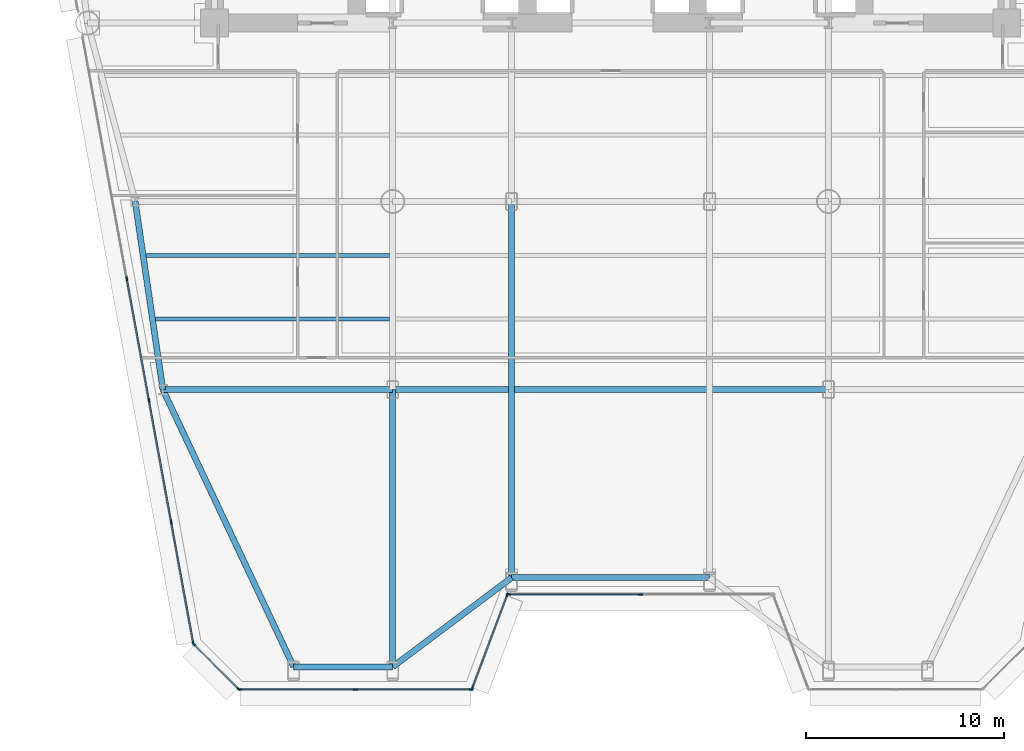
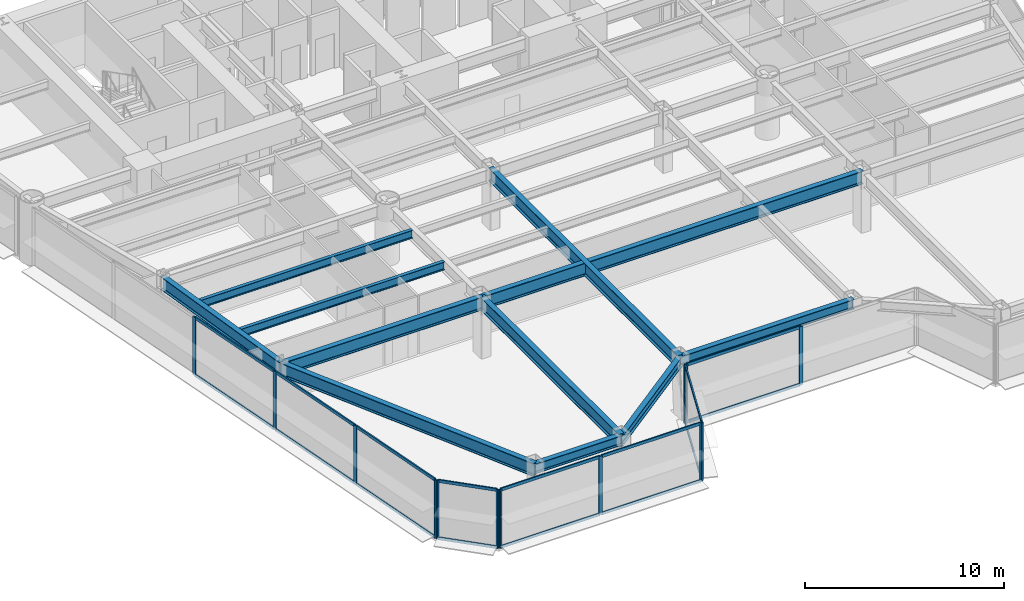
# One storey, part 2 of 14: 29 members, 11 beams, 5 elements without a shape of their own.
"""IFC4 building model written with IfcOpenShell, lengths in metres."""

from ifc_helpers import new_model, si_unit, direction, frame, origin, origin_2d, place, context, subcontext, project, spatial, rectangle, i_section, extrude, source, transform, mapped, material, layer, layer_set, material_profile, profile_set, type_object, element, aggregate, save


model = new_model("IFC4")

# Units and contexts
model_context = context("Model", 3, precision=1e-05, world=origin(), true_north=direction((0.0, 1.0)))
body_context = subcontext(model_context, "Body", "Model", "MODEL_VIEW")
ifc_project = project(units=[si_unit("LENGTHUNIT", "METRE"), si_unit("AREAUNIT", "SQUARE_METRE"), si_unit("VOLUMEUNIT", "CUBIC_METRE"), si_unit("PLANEANGLEUNIT", "RADIAN"), si_unit("MASSUNIT", "GRAM", prefix="KILO")], contexts=[model_context])

# Site, building, storey
site_placement = place(None, origin())
site = spatial("IfcSite", under=ifc_project, at=site_placement, CompositionType="ELEMENT")
building_placement = place(site_placement, origin())
building = spatial("IfcBuilding", under=site, at=building_placement, Name="Vaeldorn Concourse Tower", CompositionType="ELEMENT")
storey_placement = place(building_placement, frame((0.0, 0.0, 64.39990234375)))
storey = spatial("IfcBuildingStorey", under=building, at=storey_placement, Name="L16", CompositionType="ELEMENT", Elevation=64.39990234375)

# Beams
ifc_material_1 = material(Name="Steel S355", Category="steel")
ifc_material_profile_1 = material_profile(ifc_material_1, i_section(OverallWidth=0.300048828125, OverallDepth=0.60009765625, WebThickness=0.015380859375, FlangeThickness=0.030029296875, FilletRadius=0.027099609375, at=origin_2d()), Name="HEB 600")
ifc_profile_set_1 = profile_set([ifc_material_profile_1], Name="Steel S355")
beam_type_1 = type_object("IfcBeamType", Name="BM-SP-HEB600", PredefinedType="SPANDREL", material=ifc_profile_set_1)
shared_shape_1 = source(origin(), body_context, "Body", "SweptSolid", [
    extrude(i_section(OverallWidth=0.300048828125, OverallDepth=0.60009765625, WebThickness=0.015380859375, FlangeThickness=0.030029296875, FilletRadius=0.027099609375, at=origin_2d()), origin(), (0.0, 0.0, 1.0), 5.0),
])
beam_1_placement = place(storey_placement, frame((18.0, 4.008056640625, 3.280029296875), z_axis=(1.0, 0.0, 0.0), x_axis=(0.0, 1.0, 0.0)))
element("IfcBeam", 1, at=beam_1_placement, inside=storey, type_object=beam_type_1, Name="Beam BM-L16-C-SF1-C-SF2", PredefinedType="SPANDREL", context=body_context, shape_type="MappedRepresentation", body=[
    mapped(shared_shape_1, transform((0.0, 0.0, 0.0), scale=1.0)),
])
shared_shape_2 = source(origin(), body_context, "Body", "SweptSolid", [
    extrude(i_section(OverallWidth=0.300048828125, OverallDepth=0.60009765625, WebThickness=0.015380859375, FlangeThickness=0.030029296875, FilletRadius=0.027099609375, at=origin_2d()), origin(), (0.0, 0.0, 1.0), 7.5),
])
beam_2_placement = place(storey_placement, frame((23.0, 4.008056640625, 3.280029296875), z_axis=(0.8, 0.6, 0.0), x_axis=(-0.6, 0.8, 0.0)))
element("IfcBeam", 2, at=beam_2_placement, inside=storey, type_object=beam_type_1, Name="Beam BM-L16-C-SF2-C-SF3", PredefinedType="SPANDREL", context=body_context, shape_type="MappedRepresentation", body=[
    mapped(shared_shape_2, transform((0.0, 0.0, 0.0), scale=1.0)),
])
shared_shape_3 = source(origin(), body_context, "Body", "SweptSolid", [
    extrude(i_section(OverallWidth=0.300048828125, OverallDepth=0.60009765625, WebThickness=0.015380859375, FlangeThickness=0.030029296875, FilletRadius=0.027099609375, at=origin_2d()), origin(), (0.0, 0.0, 1.0), 10.0),
])
beam_3_placement = place(storey_placement, frame((29.0, 8.508056640625, 3.280029296875), z_axis=(1.0, 0.0, 0.0), x_axis=(0.0, 1.0, 0.0)))
element("IfcBeam", 3, at=beam_3_placement, inside=storey, type_object=beam_type_1, Name="Beam BM-L16-C-SF3-C-SF4", PredefinedType="SPANDREL", context=body_context, shape_type="MappedRepresentation", body=[
    mapped(shared_shape_3, transform((0.0, 0.0, 0.0), scale=1.0)),
])
ifc_material_profile_2 = material_profile(ifc_material_1, i_section(OverallWidth=0.300048828125, OverallDepth=0.800048828125, WebThickness=0.017578125, FlangeThickness=0.032958984375, FilletRadius=0.030029296875, at=origin_2d()), Name="HEB 800")
ifc_profile_set_2 = profile_set([ifc_material_profile_2], Name="Steel S355")
beam_type_2 = type_object("IfcBeamType", Name="BM-PG-HEB800", PredefinedType="BEAM", material=ifc_profile_set_2)
shared_shape_4 = source(origin(), body_context, "Body", "SweptSolid", [
    extrude(i_section(OverallWidth=0.300048828125, OverallDepth=0.800048828125, WebThickness=0.017578125, FlangeThickness=0.032958984375, FilletRadius=0.030029296875, at=origin_2d()), origin(), (0.0, 0.0, 1.0), 9.6025390625),
])
beam_4_placement = place(storey_placement, frame((10.0, 27.5, 3.18017578125), z_axis=(0.145783835977, -0.989316467652, 0.0), x_axis=(0.989316467652, 0.145783835977, 0.0)))
element("IfcBeam", 4, at=beam_4_placement, inside=storey, type_object=beam_type_2, Name="Beam BM-L16-C-FLW1-C-FLW2", PredefinedType="BEAM", context=body_context, shape_type="MappedRepresentation", body=[
    mapped(shared_shape_4, transform((0.0, 0.0, 0.0), scale=1.0)),
])
shared_shape_5 = source(origin(), body_context, "Body", "SweptSolid", [
    extrude(i_section(OverallWidth=0.300048828125, OverallDepth=0.800048828125, WebThickness=0.017578125, FlangeThickness=0.032958984375, FilletRadius=0.030029296875, at=origin_2d()), origin(), (0.0, 0.0, 1.0), 11.60009765625),
])
beam_5_placement = place(storey_placement, frame((11.39990234375, 18.0, 3.18017578125), z_axis=(1.0, 0.0, 0.0), x_axis=(0.0, 1.0, 0.0)))
element("IfcBeam", 5, at=beam_5_placement, inside=storey, type_object=beam_type_2, Name="Beam BM-L16-C-FLW2-C-TW5", PredefinedType="BEAM", context=body_context, shape_type="MappedRepresentation", body=[
    mapped(shared_shape_5, transform((0.0, 0.0, 0.0), scale=1.0)),
])
shared_shape_6 = source(origin(), body_context, "Body", "SweptSolid", [
    extrude(i_section(OverallWidth=0.300048828125, OverallDepth=0.800048828125, WebThickness=0.017578125, FlangeThickness=0.032958984375, FilletRadius=0.030029296875, at=origin_2d()), origin(), (0.0, 0.0, 1.0), 22.0),
])
beam_6_placement = place(storey_placement, frame((23.0, 18.0, 3.18017578125), z_axis=(1.0, 0.0, 0.0), x_axis=(0.0, 1.0, 0.0)))
element("IfcBeam", 6, at=beam_6_placement, inside=storey, type_object=beam_type_2, Name="Beam BM-L16-C-TW5-C-TW6", PredefinedType="BEAM", context=body_context, shape_type="MappedRepresentation", body=[
    mapped(shared_shape_6, transform((0.0, 0.0, 0.0), scale=1.0)),
])
shared_shape_7 = source(origin(), body_context, "Body", "SweptSolid", [
    extrude(i_section(OverallWidth=0.300048828125, OverallDepth=0.800048828125, WebThickness=0.017578125, FlangeThickness=0.032958984375, FilletRadius=0.030029296875, at=origin_2d()), origin(), (0.0, 0.0, 1.0), 15.470458984375),
])
beam_7_placement = place(storey_placement, frame((18.0, 4.008056640625, 3.18017578125), z_axis=(-0.42662525191, 0.904428490502, 0.0), x_axis=(-0.904428490502, -0.42662525191, 0.0)))
element("IfcBeam", 7, at=beam_7_placement, inside=storey, type_object=beam_type_2, Name="Beam BM-L16-C-SF1-C-FLW2", PredefinedType="BEAM", context=body_context, shape_type="MappedRepresentation", body=[
    mapped(shared_shape_7, transform((0.0, 0.0, 0.0), scale=1.0)),
])
shared_shape_8 = source(origin(), body_context, "Body", "SweptSolid", [
    extrude(i_section(OverallWidth=0.300048828125, OverallDepth=0.800048828125, WebThickness=0.017578125, FlangeThickness=0.032958984375, FilletRadius=0.030029296875, at=origin_2d()), origin(), (0.0, 0.0, 1.0), 13.991943359375),
])
beam_8_placement = place(storey_placement, frame((23.0, 4.008056640625, 3.18017578125), z_axis=(0.0, 1.0, 0.0), x_axis=(-1.0, 0.0, 0.0)))
element("IfcBeam", 8, at=beam_8_placement, inside=storey, type_object=beam_type_2, Name="Beam BM-L16-C-SF2-C-TW5", PredefinedType="BEAM", context=body_context, shape_type="MappedRepresentation", body=[
    mapped(shared_shape_8, transform((0.0, 0.0, 0.0), scale=1.0)),
])
shared_shape_9 = source(origin(), body_context, "Body", "SweptSolid", [
    extrude(i_section(OverallWidth=0.300048828125, OverallDepth=0.800048828125, WebThickness=0.017578125, FlangeThickness=0.032958984375, FilletRadius=0.030029296875, at=origin_2d()), origin(), (0.0, 0.0, 1.0), 18.991943359375),
])
beam_9_placement = place(storey_placement, frame((29.0, 8.508056640625, 3.18017578125), z_axis=(0.0, 1.0, 0.0), x_axis=(-1.0, 0.0, 0.0)))
element("IfcBeam", 9, at=beam_9_placement, inside=storey, type_object=beam_type_2, Name="Beam BM-L16-C-SF3-C-TW2", PredefinedType="BEAM", context=body_context, shape_type="MappedRepresentation", body=[
    mapped(shared_shape_9, transform((0.0, 0.0, 0.0), scale=1.0)),
])
ifc_material_profile_3 = material_profile(ifc_material_1, i_section(OverallWidth=0.199951171875, OverallDepth=0.5, WebThickness=0.01025390625, FlangeThickness=0.01611328125, FilletRadius=0.02099609375, at=origin_2d()), Name="IPE 500")
ifc_profile_set_3 = profile_set([ifc_material_profile_3], Name="Steel S355")
beam_type_3 = type_object("IfcBeamType", Name="BM-JS-IPE500", PredefinedType="JOIST", material=ifc_profile_set_3)
shared_shape_10 = source(origin(), body_context, "Body", "SweptSolid", [
    extrude(i_section(OverallWidth=0.199951171875, OverallDepth=0.5, WebThickness=0.01025390625, FlangeThickness=0.01611328125, FilletRadius=0.02099609375, at=origin_2d()), origin(), (0.0, 0.0, 1.0), 11.82470703125),
])
beam_10_placement = place(storey_placement, frame((11.025390625, 21.56005859375, 3.330078125), z_axis=(1.0, 0.0, 0.0), x_axis=(0.0, 1.0, 0.0)))
element("IfcBeam", 10, at=beam_10_placement, inside=storey, type_object=beam_type_3, Name="Beam JS-L16-W1-215", PredefinedType="JOIST", context=body_context, shape_type="MappedRepresentation", body=[
    mapped(shared_shape_10, transform((0.0, 0.0, 0.0), scale=1.0)),
])
shared_shape_11 = source(origin(), body_context, "Body", "SweptSolid", [
    extrude(i_section(OverallWidth=0.199951171875, OverallDepth=0.5, WebThickness=0.01025390625, FlangeThickness=0.01611328125, FilletRadius=0.02099609375, at=origin_2d()), origin(), (0.0, 0.0, 1.0), 12.29638671875),
])
beam_11_placement = place(storey_placement, frame((10.5537109375, 24.760009765625, 3.330078125), z_axis=(1.0, 0.0, 0.0), x_axis=(0.0, 1.0, 0.0)))
element("IfcBeam", 11, at=beam_11_placement, inside=storey, type_object=beam_type_3, Name="Beam JS-L16-W1-247", PredefinedType="JOIST", context=body_context, shape_type="MappedRepresentation", body=[
    mapped(shared_shape_11, transform((0.0, 0.0, 0.0), scale=1.0)),
])

# Curtain wall, members
ifc_material_2 = material(Name="Anodised Bronze Aluminium", Category="aluminium")
ifc_layer = layer(ifc_material_2, 0.219970703125)
ifc_layer_set = layer_set([ifc_layer], Name="Anodised Bronze Aluminium")
curtain_wall_type = type_object("IfcCurtainWallType", Name="CW-SYS-01", PredefinedType="NOTDEFINED", material=ifc_layer_set)
curtain_wall_1_placement = place(storey_placement, origin())
curtain_wall_1 = element("IfcCurtainWall", 12, at=curtain_wall_1_placement, inside=storey, type_object=curtain_wall_type, Name="Unitised Curtain Wall CW-L16-E02-1", PredefinedType="NOTDEFINED")
ifc_material_profile_4 = material_profile(ifc_material_2, rectangle(XDim=0.074951171875, YDim=0.179931640625, at=origin_2d()), Name="CWT 75x180")
ifc_profile_set_4 = profile_set([ifc_material_profile_4], Name="Anodised Bronze Aluminium")
member_type_1 = type_object("IfcMemberType", Name="CWT-BRONZE-180", PredefinedType="USERDEFINED", material=ifc_profile_set_4)
shared_shape_12 = source(origin(), body_context, "Body", "SweptSolid", [
    extrude(rectangle(XDim=0.074951171875, YDim=0.179931640625, at=origin_2d()), origin(), (0.0, 0.0, 1.0), 4.976318359375),
])
member_1_placement = place(storey_placement, frame((27.0263671875, 2.939208984375, 0.03759765625), z_axis=(0.351128818119, 0.936327161352, 0.0), x_axis=(-0.936327161352, 0.351128818119, 0.0)))
member_1 = element("IfcMember", 13, at=member_1_placement, type_object=member_type_1, Name="CW-01 transom 1.1", ObjectType="TRANSOM", PredefinedType="USERDEFINED", context=body_context, shape_type="MappedRepresentation", body=[
    mapped(shared_shape_12, transform((0.0, 0.0, 0.0), scale=1.0)),
])
member_2_placement = place(storey_placement, frame((27.0263671875, 2.939208984375, 3.54248046875), z_axis=(0.351128818119, 0.936327161352, 0.0), x_axis=(-0.936327161352, 0.351128818119, 0.0)))
member_2 = element("IfcMember", 14, at=member_2_placement, type_object=member_type_1, Name="CW-01 transom 1.2", ObjectType="TRANSOM", PredefinedType="USERDEFINED", context=body_context, shape_type="MappedRepresentation", body=[
    mapped(shared_shape_12, transform((0.0, 0.0, 0.0), scale=1.0)),
])

curtain_wall_2_placement = place(storey_placement, origin())
curtain_wall_2 = element("IfcCurtainWall", 15, at=curtain_wall_2_placement, inside=storey, type_object=curtain_wall_type, Name="Unitised Curtain Wall CW-L16-E03-1", PredefinedType="NOTDEFINED")
shared_shape_13 = source(origin(), body_context, "Body", "SweptSolid", [
    extrude(rectangle(XDim=0.074951171875, YDim=0.179931640625, at=origin_2d()), origin(), (0.0, 0.0, 1.0), 6.58740234375),
])
member_3_placement = place(storey_placement, frame((28.875, 7.6689453125, 0.03759765625), z_axis=(1.0, 0.0, 0.0), x_axis=(0.0, 1.0, 0.0)))
member_3 = element("IfcMember", 16, at=member_3_placement, type_object=member_type_1, Name="CW-01 transom 1.1", ObjectType="TRANSOM", PredefinedType="USERDEFINED", context=body_context, shape_type="MappedRepresentation", body=[
    mapped(shared_shape_13, transform((0.0, 0.0, 0.0), scale=1.0)),
])
member_4_placement = place(storey_placement, frame((28.875, 7.6689453125, 3.54248046875), z_axis=(1.0, 0.0, 0.0), x_axis=(0.0, 1.0, 0.0)))
member_4 = element("IfcMember", 17, at=member_4_placement, type_object=member_type_1, Name="CW-01 transom 1.2", ObjectType="TRANSOM", PredefinedType="USERDEFINED", context=body_context, shape_type="MappedRepresentation", body=[
    mapped(shared_shape_13, transform((0.0, 0.0, 0.0), scale=1.0)),
])

curtain_wall_3_placement = place(storey_placement, origin())
curtain_wall_3 = element("IfcCurtainWall", 18, at=curtain_wall_3_placement, inside=storey, type_object=curtain_wall_type, Name="Unitised Curtain Wall CW-L16-E12-1", PredefinedType="NOTDEFINED")
shared_shape_14 = source(origin(), body_context, "Body", "SweptSolid", [
    extrude(rectangle(XDim=0.074951171875, YDim=0.179931640625, at=origin_2d()), origin(), (0.0, 0.0, 1.0), 3.102783203125),
])
member_5_placement = place(storey_placement, frame((12.99462890625, 5.115966796875, 0.03759765625), z_axis=(0.707067437368, -0.707146122816, 0.0), x_axis=(0.707146122816, 0.707067437368, 0.0)))
member_5 = element("IfcMember", 19, at=member_5_placement, type_object=member_type_1, Name="CW-01 transom 1.1", ObjectType="TRANSOM", PredefinedType="USERDEFINED", context=body_context, shape_type="MappedRepresentation", body=[
    mapped(shared_shape_14, transform((0.0, 0.0, 0.0), scale=1.0)),
])
member_6_placement = place(storey_placement, frame((12.99462890625, 5.115966796875, 3.54248046875), z_axis=(0.707067437368, -0.707146122816, 0.0), x_axis=(0.707146122816, 0.707067437368, 0.0)))
member_6 = element("IfcMember", 20, at=member_6_placement, type_object=member_type_1, Name="CW-01 transom 1.2", ObjectType="TRANSOM", PredefinedType="USERDEFINED", context=body_context, shape_type="MappedRepresentation", body=[
    mapped(shared_shape_14, transform((0.0, 0.0, 0.0), scale=1.0)),
])

curtain_wall_4_placement = place(storey_placement, origin())
curtain_wall_4 = element("IfcCurtainWall", 21, at=curtain_wall_4_placement, inside=storey, type_object=curtain_wall_type, Name="Unitised Curtain Wall CW-L16-E01-1", PredefinedType="NOTDEFINED")
ifc_material_profile_5 = material_profile(ifc_material_2, rectangle(XDim=0.074951171875, YDim=0.219970703125, at=origin_2d()), Name="CWM 75x220")
ifc_profile_set_5 = profile_set([ifc_material_profile_5], Name="Anodised Bronze Aluminium")
member_type_2 = type_object("IfcMemberType", Name="CWM-BRONZE-220", PredefinedType="MULLION", material=ifc_profile_set_5)
shared_shape_15 = source(origin(), body_context, "Body", "SweptSolid", [
    extrude(rectangle(XDim=0.074951171875, YDim=0.219970703125, at=origin_2d()), origin(), (0.0, 0.0, 1.0), 3.580078125),
])
member_7_placement = place(storey_placement, frame((15.279052734375, 2.868896484375, 0.0), z_axis=(0.0, 0.0, 1.0), x_axis=(0.0, 1.0, 0.0)))
member_7 = element("IfcMember", 22, at=member_7_placement, type_object=member_type_2, Name="CW-01 mullion 1", PredefinedType="MULLION", context=body_context, shape_type="MappedRepresentation", body=[
    mapped(shared_shape_15, transform((0.0, 0.0, 0.0), scale=1.0)),
])
member_8_placement = place(storey_placement, frame((21.120849609375, 2.868896484375, 0.0), z_axis=(0.0, 0.0, 1.0), x_axis=(0.0, 1.0, 0.0)))
member_8 = element("IfcMember", 23, at=member_8_placement, type_object=member_type_2, Name="CW-01 mullion 2", PredefinedType="MULLION", context=body_context, shape_type="MappedRepresentation", body=[
    mapped(shared_shape_15, transform((0.0, 0.0, 0.0), scale=1.0)),
])
member_9_placement = place(storey_placement, frame((26.96240234375, 2.868896484375, 0.0), z_axis=(0.0, 0.0, 1.0), x_axis=(0.0, 1.0, 0.0)))
member_9 = element("IfcMember", 24, at=member_9_placement, type_object=member_type_2, Name="CW-01 mullion 3", PredefinedType="MULLION", context=body_context, shape_type="MappedRepresentation", body=[
    mapped(shared_shape_15, transform((0.0, 0.0, 0.0), scale=1.0)),
])

# Member
member_10_placement = place(storey_placement, frame((27.01318359375, 2.904052734375, 0.0), z_axis=(0.0, 0.0, 1.0), x_axis=(-0.936329177566, 0.351123441595, 0.0)))
member_10 = element("IfcMember", 25, at=member_10_placement, type_object=member_type_2, Name="CW-01 mullion 1", PredefinedType="MULLION", context=body_context, shape_type="MappedRepresentation", body=[
    mapped(shared_shape_15, transform((0.0, 0.0, 0.0), scale=1.0)),
])

member_11_placement = place(storey_placement, frame((28.786865234375, 7.6337890625, 0.0), z_axis=(0.0, 0.0, 1.0), x_axis=(-0.936329177566, 0.351123441595, 0.0)))
member_11 = element("IfcMember", 26, at=member_11_placement, type_object=member_type_2, Name="CW-01 mullion 2", PredefinedType="MULLION", context=body_context, shape_type="MappedRepresentation", body=[
    mapped(shared_shape_15, transform((0.0, 0.0, 0.0), scale=1.0)),
])

aggregate(curtain_wall_1, [member_10, member_11, member_1, member_2])

member_12_placement = place(storey_placement, frame((28.83740234375, 7.6689453125, 0.0), z_axis=(0.0, 0.0, 1.0), x_axis=(0.0, 1.0, 0.0)))
member_12 = element("IfcMember", 27, at=member_12_placement, type_object=member_type_2, Name="CW-01 mullion 1", PredefinedType="MULLION", context=body_context, shape_type="MappedRepresentation", body=[
    mapped(shared_shape_15, transform((0.0, 0.0, 0.0), scale=1.0)),
])

member_13_placement = place(storey_placement, frame((35.5, 7.6689453125, 0.0), z_axis=(0.0, 0.0, 1.0), x_axis=(0.0, 1.0, 0.0)))
member_13 = element("IfcMember", 28, at=member_13_placement, type_object=member_type_2, Name="CW-01 mullion 2", PredefinedType="MULLION", context=body_context, shape_type="MappedRepresentation", body=[
    mapped(shared_shape_15, transform((0.0, 0.0, 0.0), scale=1.0)),
])

aggregate(curtain_wall_2, [member_12, member_13, member_3, member_4])

# Curtain wall, members
curtain_wall_5_placement = place(storey_placement, origin())
curtain_wall_5 = element("IfcCurtainWall", 29, at=curtain_wall_5_placement, inside=storey, type_object=curtain_wall_type, Name="Unitised Curtain Wall CW-L16-E11-2", PredefinedType="NOTDEFINED")
member_14_placement = place(storey_placement, frame((9.579833984375, 23.595947265625, 0.0), z_axis=(0.0, 0.0, 1.0), x_axis=(0.983762772007, 0.179473698387, 0.0)))
member_14 = element("IfcMember", 30, at=member_14_placement, type_object=member_type_2, Name="CW-01 mullion 3", PredefinedType="MULLION", context=body_context, shape_type="MappedRepresentation", body=[
    mapped(shared_shape_15, transform((0.0, 0.0, 0.0), scale=1.0)),
])
member_15_placement = place(storey_placement, frame((10.700439453125, 17.45361328125, 0.0), z_axis=(0.0, 0.0, 1.0), x_axis=(0.983762772007, 0.179473698387, 0.0)))
member_15 = element("IfcMember", 31, at=member_15_placement, type_object=member_type_2, Name="CW-01 mullion 4", PredefinedType="MULLION", context=body_context, shape_type="MappedRepresentation", body=[
    mapped(shared_shape_15, transform((0.0, 0.0, 0.0), scale=1.0)),
])
member_16_placement = place(storey_placement, frame((11.821044921875, 11.311279296875, 0.0), z_axis=(0.0, 0.0, 1.0), x_axis=(0.983762772007, 0.179473698387, 0.0)))
member_16 = element("IfcMember", 32, at=member_16_placement, type_object=member_type_2, Name="CW-01 mullion 5", PredefinedType="MULLION", context=body_context, shape_type="MappedRepresentation", body=[
    mapped(shared_shape_15, transform((0.0, 0.0, 0.0), scale=1.0)),
])
member_17_placement = place(storey_placement, frame((12.934814453125, 5.205810546875, 0.0), z_axis=(0.0, 0.0, 1.0), x_axis=(0.983762772007, 0.179473698387, 0.0)))
member_17 = element("IfcMember", 33, at=member_17_placement, type_object=member_type_2, Name="CW-01 mullion 6", PredefinedType="MULLION", context=body_context, shape_type="MappedRepresentation", body=[
    mapped(shared_shape_15, transform((0.0, 0.0, 0.0), scale=1.0)),
])

# Member
member_18_placement = place(storey_placement, frame((12.968017578125, 5.142333984375, 0.0), z_axis=(0.0, 0.0, 1.0), x_axis=(0.707106781187, 0.707106781187, 0.0)))
member_18 = element("IfcMember", 34, at=member_18_placement, type_object=member_type_2, Name="CW-01 mullion 1", PredefinedType="MULLION", context=body_context, shape_type="MappedRepresentation", body=[
    mapped(shared_shape_15, transform((0.0, 0.0, 0.0), scale=1.0)),
])

member_19_placement = place(storey_placement, frame((15.215087890625, 2.8955078125, 0.0), z_axis=(0.0, 0.0, 1.0), x_axis=(0.707106781187, 0.707106781187, 0.0)))
member_19 = element("IfcMember", 35, at=member_19_placement, type_object=member_type_2, Name="CW-01 mullion 2", PredefinedType="MULLION", context=body_context, shape_type="MappedRepresentation", body=[
    mapped(shared_shape_15, transform((0.0, 0.0, 0.0), scale=1.0)),
])

aggregate(curtain_wall_3, [member_18, member_19, member_5, member_6])

shared_shape_16 = source(origin(), body_context, "Body", "SweptSolid", [
    extrude(rectangle(XDim=0.074951171875, YDim=0.179931640625, at=origin_2d()), origin(), (0.0, 0.0, 1.0), 5.7666015625),
])
member_20_placement = place(storey_placement, frame((15.316650390625, 2.868896484375, 0.03759765625), z_axis=(1.0, 0.0, 0.0), x_axis=(0.0, 1.0, 0.0)))
member_20 = element("IfcMember", 36, at=member_20_placement, type_object=member_type_1, Name="CW-01 transom 1.1", ObjectType="TRANSOM", PredefinedType="USERDEFINED", context=body_context, shape_type="MappedRepresentation", body=[
    mapped(shared_shape_16, transform((0.0, 0.0, 0.0), scale=1.0)),
])

member_21_placement = place(storey_placement, frame((15.316650390625, 2.868896484375, 3.54248046875), z_axis=(1.0, 0.0, 0.0), x_axis=(0.0, 1.0, 0.0)))
member_21 = element("IfcMember", 37, at=member_21_placement, type_object=member_type_1, Name="CW-01 transom 1.2", ObjectType="TRANSOM", PredefinedType="USERDEFINED", context=body_context, shape_type="MappedRepresentation", body=[
    mapped(shared_shape_16, transform((0.0, 0.0, 0.0), scale=1.0)),
])

shared_shape_17 = source(origin(), body_context, "Body", "SweptSolid", [
    extrude(rectangle(XDim=0.074951171875, YDim=0.179931640625, at=origin_2d()), origin(), (0.0, 0.0, 1.0), 5.766845703125),
])
member_22_placement = place(storey_placement, frame((21.158203125, 2.868896484375, 0.03759765625), z_axis=(1.0, 0.0, 0.0), x_axis=(0.0, 1.0, 0.0)))
member_22 = element("IfcMember", 38, at=member_22_placement, type_object=member_type_1, Name="CW-01 transom 2.1", ObjectType="TRANSOM", PredefinedType="USERDEFINED", context=body_context, shape_type="MappedRepresentation", body=[
    mapped(shared_shape_17, transform((0.0, 0.0, 0.0), scale=1.0)),
])

member_23_placement = place(storey_placement, frame((21.158203125, 2.868896484375, 3.54248046875), z_axis=(1.0, 0.0, 0.0), x_axis=(0.0, 1.0, 0.0)))
member_23 = element("IfcMember", 39, at=member_23_placement, type_object=member_type_1, Name="CW-01 transom 2.2", ObjectType="TRANSOM", PredefinedType="USERDEFINED", context=body_context, shape_type="MappedRepresentation", body=[
    mapped(shared_shape_17, transform((0.0, 0.0, 0.0), scale=1.0)),
])

aggregate(curtain_wall_4, [member_7, member_8, member_9, member_20, member_21, member_22, member_23])

shared_shape_18 = source(origin(), body_context, "Body", "SweptSolid", [
    extrude(rectangle(XDim=0.074951171875, YDim=0.179931640625, at=origin_2d()), origin(), (0.0, 0.0, 1.0), 6.13134765625),
])
member_24_placement = place(storey_placement, frame((11.82763671875, 11.2744140625, 0.03759765625), z_axis=(0.179502113068, -0.983757587724, 0.0), x_axis=(0.983757587724, 0.179502113068, 0.0)))
member_24 = element("IfcMember", 40, at=member_24_placement, type_object=member_type_1, Name="CW-01 transom 5.1", ObjectType="TRANSOM", PredefinedType="USERDEFINED", context=body_context, shape_type="MappedRepresentation", body=[
    mapped(shared_shape_18, transform((0.0, 0.0, 0.0), scale=1.0)),
])

member_25_placement = place(storey_placement, frame((11.82763671875, 11.2744140625, 3.54248046875), z_axis=(0.179502113068, -0.983757587724, 0.0), x_axis=(0.983757587724, 0.179502113068, 0.0)))
member_25 = element("IfcMember", 41, at=member_25_placement, type_object=member_type_1, Name="CW-01 transom 5.2", ObjectType="TRANSOM", PredefinedType="USERDEFINED", context=body_context, shape_type="MappedRepresentation", body=[
    mapped(shared_shape_18, transform((0.0, 0.0, 0.0), scale=1.0)),
])

shared_shape_19 = source(origin(), body_context, "Body", "SweptSolid", [
    extrude(rectangle(XDim=0.074951171875, YDim=0.179931640625, at=origin_2d()), origin(), (0.0, 0.0, 1.0), 6.168701171875),
])
member_26_placement = place(storey_placement, frame((9.586669921875, 23.55908203125, 0.03759765625), z_axis=(0.179442655336, -0.98376843487, 0.0), x_axis=(0.98376843487, 0.179442655336, 0.0)))
member_26 = element("IfcMember", 42, at=member_26_placement, type_object=member_type_1, Name="CW-01 transom 3.1", ObjectType="TRANSOM", PredefinedType="USERDEFINED", context=body_context, shape_type="MappedRepresentation", body=[
    mapped(shared_shape_19, transform((0.0, 0.0, 0.0), scale=1.0)),
])

member_27_placement = place(storey_placement, frame((9.586669921875, 23.55908203125, 3.54248046875), z_axis=(0.179442655336, -0.98376843487, 0.0), x_axis=(0.98376843487, 0.179442655336, 0.0)))
member_27 = element("IfcMember", 43, at=member_27_placement, type_object=member_type_1, Name="CW-01 transom 3.2", ObjectType="TRANSOM", PredefinedType="USERDEFINED", context=body_context, shape_type="MappedRepresentation", body=[
    mapped(shared_shape_19, transform((0.0, 0.0, 0.0), scale=1.0)),
])

member_28_placement = place(storey_placement, frame((10.707275390625, 17.416748046875, 0.03759765625), z_axis=(0.179442655336, -0.98376843487, 0.0), x_axis=(0.98376843487, 0.179442655336, 0.0)))
member_28 = element("IfcMember", 44, at=member_28_placement, type_object=member_type_1, Name="CW-01 transom 4.1", ObjectType="TRANSOM", PredefinedType="USERDEFINED", context=body_context, shape_type="MappedRepresentation", body=[
    mapped(shared_shape_19, transform((0.0, 0.0, 0.0), scale=1.0)),
])

member_29_placement = place(storey_placement, frame((10.707275390625, 17.416748046875, 3.54248046875), z_axis=(0.179442655336, -0.98376843487, 0.0), x_axis=(0.98376843487, 0.179442655336, 0.0)))
member_29 = element("IfcMember", 45, at=member_29_placement, type_object=member_type_1, Name="CW-01 transom 4.2", ObjectType="TRANSOM", PredefinedType="USERDEFINED", context=body_context, shape_type="MappedRepresentation", body=[
    mapped(shared_shape_19, transform((0.0, 0.0, 0.0), scale=1.0)),
])

aggregate(curtain_wall_5, [member_14, member_15, member_16, member_17, member_26, member_27, member_28, member_29, member_24, member_25])

save(model, "model.ifc")
